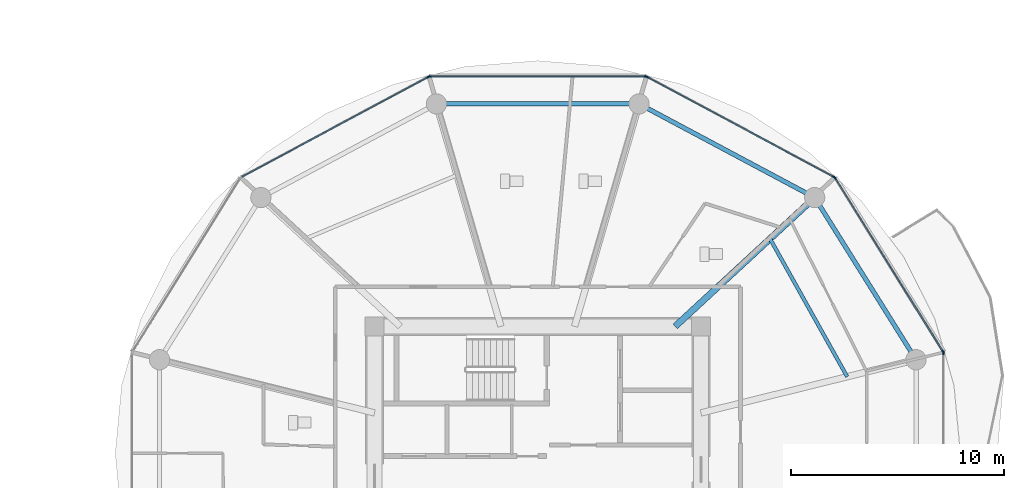
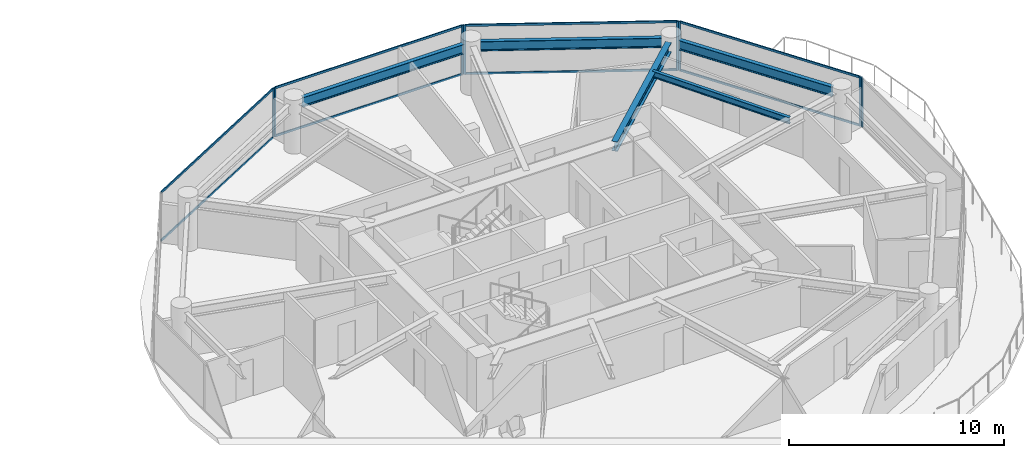
# One storey, part 13 of 27: 16 members, 5 beams, 5 elements without a shape of their own.
"""IFC4 building model written with IfcOpenShell, lengths in metres."""

from ifc_helpers import new_model, si_unit, direction, frame, origin, origin_2d, place, context, subcontext, project, spatial, rectangle, i_section, extrude, source, transform, mapped, material, layer, layer_set, material_profile, profile_set, type_object, type_shapes, element, aggregate, save


model = new_model("IFC4")

# Units and contexts
model_context = context("Model", 3, precision=1e-05, world=origin(), true_north=direction((0.0, 1.0)))
body_context = subcontext(model_context, "Body", "Model", "MODEL_VIEW")
ifc_project = project(units=[si_unit("LENGTHUNIT", "METRE"), si_unit("AREAUNIT", "SQUARE_METRE"), si_unit("VOLUMEUNIT", "CUBIC_METRE"), si_unit("PLANEANGLEUNIT", "RADIAN"), si_unit("MASSUNIT", "GRAM", prefix="KILO")], contexts=[model_context])

# Site, building, storey
site_placement = place(None, origin())
site = spatial("IfcSite", under=ifc_project, at=site_placement, CompositionType="ELEMENT")
building_placement = place(site_placement, origin())
building = spatial("IfcBuilding", under=site, at=building_placement, Name="Norrkilde Senior Care Towers", CompositionType="ELEMENT")
storey_placement = place(building_placement, frame((0.0, 0.0, 36.85009765625)))
storey = spatial("IfcBuildingStorey", under=building, at=storey_placement, Name="L10", CompositionType="ELEMENT", Elevation=36.85009765625)

# Beams
ifc_material_1 = material(Name="Steel S355", Category="steel")
ifc_material_profile_1 = material_profile(ifc_material_1, i_section(OverallWidth=0.2099609375, OverallDepth=0.550048828125, WebThickness=0.010986328125, FlangeThickness=0.01708984375, FilletRadius=0.02392578125, at=origin_2d()), Name="IPE 550")
ifc_profile_set_1 = profile_set([ifc_material_profile_1], Name="Steel S355")
beam_type_1 = type_object("IfcBeamType", Name="Perimeter Ring Spandrel Z1 IPE550", PredefinedType="SPANDREL", material=ifc_profile_set_1)
shared_shape_1 = source(origin(), body_context, "Body", "SweptSolid", [
    extrude(i_section(OverallWidth=0.2099609375, OverallDepth=0.550048828125, WebThickness=0.010986328125, FlangeThickness=0.01708984375, FilletRadius=0.02392578125, at=origin_2d()), origin(), (0.0, 0.0, 1.0), 8.090576171875),
])
beam_1_placement = place(storey_placement, frame((45.494140625, 4.755859375, 2.514892578125), z_axis=(-0.530004364821, 0.84799491347, 0.0), x_axis=(-0.84799491347, -0.530004364821, 0.0)))
element("IfcBeam", 1, at=beam_1_placement, inside=storey, type_object=beam_type_1, Name="L10 Drum E Perimeter Spandrel 01", PredefinedType="SPANDREL", context=body_context, shape_type="MappedRepresentation", body=[
    mapped(shared_shape_1, transform((0.0, 0.0, 0.0), x_axis=(1.0, 0.0, 0.0), y_axis=(0.0, 1.0, 0.0), z_axis=(0.0, 0.0, 1.0), scale=1.0)),
])
shared_shape_2 = source(origin(), body_context, "Body", "SweptSolid", [
    extrude(i_section(OverallWidth=0.2099609375, OverallDepth=0.550048828125, WebThickness=0.010986328125, FlangeThickness=0.01708984375, FilletRadius=0.02392578125, at=origin_2d()), origin(), (0.0, 0.0, 1.0), 8.452880859375),
])
beam_2_placement = place(storey_placement, frame((40.591552734375, 12.190185546875, 2.514892578125), z_axis=(-0.882368931134, 0.470558252898, 0.0), x_axis=(-0.470558252898, -0.882368931134, 0.0)))
element("IfcBeam", 2, at=beam_2_placement, inside=storey, type_object=beam_type_1, Name="L10 Drum E Perimeter Spandrel 02", PredefinedType="SPANDREL", context=body_context, shape_type="MappedRepresentation", body=[
    mapped(shared_shape_2, transform((0.0, 0.0, 0.0), x_axis=(1.0, 0.0, 0.0), y_axis=(0.0, 1.0, 0.0), z_axis=(0.0, 0.0, 1.0), scale=1.0)),
])
ifc_material_profile_2 = material_profile(ifc_material_1, i_section(OverallWidth=0.300048828125, OverallDepth=0.550048828125, WebThickness=0.014892578125, FlangeThickness=0.029052734375, FilletRadius=0.027099609375, at=origin_2d()), Name="HEB 550")
ifc_profile_set_2 = profile_set([ifc_material_profile_2], Name="Steel S355")
beam_type_2 = type_object("IfcBeamType", Name="Radial Floor Beam Z1 HEB550", PredefinedType="BEAM", material=ifc_profile_set_2)
shared_shape_3 = source(origin(), body_context, "Body", "SweptSolid", [
    extrude(i_section(OverallWidth=0.300048828125, OverallDepth=0.550048828125, WebThickness=0.014892578125, FlangeThickness=0.029052734375, FilletRadius=0.027099609375, at=origin_2d()), origin(), (0.0, 0.0, 1.0), 8.459716796875),
])
type_shapes(beam_type_2, [shared_shape_3])
beam_3_placement = place(storey_placement, frame((34.44140625, 5.949951171875, 2.514892578125), z_axis=(0.734573269108, 0.678529374686, 0.0), x_axis=(-0.678529374686, 0.734573269108, 0.0)))
element("IfcBeam", 3, at=beam_3_placement, inside=storey, type_object=beam_type_2, Name="L10 Drum E Radial Floor Beam 02", PredefinedType="BEAM", context=body_context, shape_type="MappedRepresentation", body=[
    mapped(shared_shape_3, transform((0.0, 0.0, 0.0), x_axis=(1.0, 0.0, 0.0), y_axis=(0.0, 1.0, 0.0), z_axis=(0.0, 0.0, 1.0), scale=1.0)),
])
shared_shape_4 = source(origin(), body_context, "Body", "SweptSolid", [
    extrude(i_section(OverallWidth=0.2099609375, OverallDepth=0.550048828125, WebThickness=0.010986328125, FlangeThickness=0.01708984375, FilletRadius=0.02392578125, at=origin_2d()), origin(), (0.0, 0.0, 1.0), 8.62841796875),
])
type_shapes(beam_type_1, [shared_shape_1, shared_shape_2, shared_shape_4])
beam_4_placement = place(storey_placement, frame((32.314208984375, 16.37255859375, 2.514892578125), z_axis=(-1.0, 0.0, 0.0), x_axis=(0.0, -1.0, 0.0)))
element("IfcBeam", 4, at=beam_4_placement, inside=storey, type_object=beam_type_1, Name="L10 Drum E Perimeter Spandrel 03", PredefinedType="SPANDREL", context=body_context, shape_type="MappedRepresentation", body=[
    mapped(shared_shape_4, transform((0.0, 0.0, 0.0), x_axis=(1.0, 0.0, 0.0), y_axis=(0.0, 1.0, 0.0), z_axis=(0.0, 0.0, 1.0), scale=1.0)),
])
ifc_material_profile_3 = material_profile(ifc_material_1, i_section(OverallWidth=0.169921875, OverallDepth=0.360107421875, WebThickness=0.008056640625, FlangeThickness=0.0126953125, FilletRadius=0.01806640625, at=origin_2d()), Name="IPE 360")
ifc_profile_set_3 = profile_set([ifc_material_profile_3], Name="Steel S355")
beam_type_3 = type_object("IfcBeamType", Name="Secondary Floor Joist IPE360", PredefinedType="JOIST", material=ifc_profile_set_3)
shared_shape_5 = source(origin(), body_context, "Body", "SweptSolid", [
    extrude(i_section(OverallWidth=0.169921875, OverallDepth=0.360107421875, WebThickness=0.008056640625, FlangeThickness=0.0126953125, FilletRadius=0.01806640625, at=origin_2d()), origin(), (0.0, 0.0, 1.0), 7.40771484375),
])
type_shapes(beam_type_3, [shared_shape_5])
beam_5_placement = place(storey_placement, frame((42.500732421875, 3.589111328125, 2.60986328125), z_axis=(-0.488167754092, 0.872749817453, 0.0), x_axis=(-0.872749817453, -0.488167754092, 0.0)))
element("IfcBeam", 5, at=beam_5_placement, inside=storey, type_object=beam_type_3, Name="L10 Drum E Secondary Floor Joist 1", PredefinedType="JOIST", context=body_context, shape_type="MappedRepresentation", body=[
    mapped(shared_shape_5, transform((0.0, 0.0, 0.0), x_axis=(1.0, 0.0, 0.0), y_axis=(0.0, 1.0, 0.0), z_axis=(0.0, 0.0, 1.0), scale=1.0)),
])

# Curtain wall, members
ifc_material_2 = material(Name="Triple Low-E Insulated Glazing", Category="glass")
ifc_layer = layer(ifc_material_2, 0.199951171875)
ifc_layer_set = layer_set([ifc_layer], Name="Triple Low-E Insulated Glazing")
curtain_wall_type = type_object("IfcCurtainWallType", Name="CW2 Zone 1 Memory Care Curtain Wall", PredefinedType="NOTDEFINED", material=ifc_layer_set)
curtain_wall_1_placement = place(storey_placement, origin())
curtain_wall_1 = element("IfcCurtainWall", 6, at=curtain_wall_1_placement, inside=storey, type_object=curtain_wall_type, Name="L10 Drum E Curtain Wall 00", PredefinedType="NOTDEFINED")
ifc_material_3 = material(Name="Anodised Aluminium", Category="aluminium")
ifc_material_profile_4 = material_profile(ifc_material_3, rectangle(XDim=0.06494140625, YDim=0.159912109375, at=origin_2d()), Name="ALU MULL 65x160")
ifc_profile_set_4 = profile_set([ifc_material_profile_4], Name="Anodised Aluminium")
member_type_1 = type_object("IfcMemberType", Name="Curtain Wall Mullion Z1-Z2 65x160", PredefinedType="MULLION", material=ifc_profile_set_4)
shared_shape_6 = source(origin(), body_context, "Body", "SweptSolid", [
    extrude(rectangle(XDim=0.06494140625, YDim=0.159912109375, at=origin_2d()), origin(), (0.0, 0.0, 1.0), 2.789794921875),
])
type_shapes(member_type_1, [shared_shape_6])
member_1_placement = place(storey_placement, frame((41.93310546875, 12.898193359375, 0.0), z_axis=(0.0, 0.0, 1.0), x_axis=(0.849305943117, 0.527900951871, 0.0)))
member_1 = element("IfcMember", 7, at=member_1_placement, type_object=member_type_1, Name="CW-2 mullion 1", PredefinedType="MULLION", context=body_context, shape_type="MappedRepresentation", body=[
    mapped(shared_shape_6, transform((0.0, 0.0, 0.0), x_axis=(1.0, 0.0, 0.0), y_axis=(0.0, 1.0, 0.0), z_axis=(0.0, 0.0, 1.0), scale=1.0)),
])
member_2_placement = place(storey_placement, frame((46.9921875, 4.7587890625, 0.0), z_axis=(0.0, 0.0, 1.0), x_axis=(0.849305943117, 0.527900951871, 0.0)))
member_2 = element("IfcMember", 8, at=member_2_placement, type_object=member_type_1, Name="CW-2 mullion 2", PredefinedType="MULLION", context=body_context, shape_type="MappedRepresentation", body=[
    mapped(shared_shape_6, transform((0.0, 0.0, 0.0), x_axis=(1.0, 0.0, 0.0), y_axis=(0.0, 1.0, 0.0), z_axis=(0.0, 0.0, 1.0), scale=1.0)),
])

curtain_wall_2_placement = place(storey_placement, origin())
curtain_wall_2 = element("IfcCurtainWall", 9, at=curtain_wall_2_placement, inside=storey, type_object=curtain_wall_type, Name="L10 Drum E Curtain Wall 01", PredefinedType="NOTDEFINED")
member_3_placement = place(storey_placement, frame((33.122314453125, 17.641845703125, 0.0), z_axis=(0.0, 0.0, 1.0), x_axis=(0.472607802456, 0.881272866403, 0.0)))
member_3 = element("IfcMember", 10, at=member_3_placement, type_object=member_type_1, Name="CW-2 mullion 1", PredefinedType="MULLION", context=body_context, shape_type="MappedRepresentation", body=[
    mapped(shared_shape_6, transform((0.0, 0.0, 0.0), x_axis=(1.0, 0.0, 0.0), y_axis=(0.0, 1.0, 0.0), z_axis=(0.0, 0.0, 1.0), scale=1.0)),
])
member_4_placement = place(storey_placement, frame((41.88720703125, 12.941162109375, 0.0), z_axis=(0.0, 0.0, 1.0), x_axis=(0.472607802456, 0.881272866403, 0.0)))
member_4 = element("IfcMember", 11, at=member_4_placement, type_object=member_type_1, Name="CW-2 mullion 2", PredefinedType="MULLION", context=body_context, shape_type="MappedRepresentation", body=[
    mapped(shared_shape_6, transform((0.0, 0.0, 0.0), x_axis=(1.0, 0.0, 0.0), y_axis=(0.0, 1.0, 0.0), z_axis=(0.0, 0.0, 1.0), scale=1.0)),
])

curtain_wall_3_placement = place(storey_placement, origin())
curtain_wall_3 = element("IfcCurtainWall", 12, at=curtain_wall_3_placement, inside=storey, type_object=curtain_wall_type, Name="L10 Drum E Curtain Wall 02", PredefinedType="NOTDEFINED")
member_5_placement = place(storey_placement, frame((22.93896484375, 17.6572265625, 0.0), z_axis=(0.0, 0.0, 1.0), x_axis=(0.0, 1.0, 0.0)))
member_5 = element("IfcMember", 13, at=member_5_placement, type_object=member_type_1, Name="CW-2 mullion 1", PredefinedType="MULLION", context=body_context, shape_type="MappedRepresentation", body=[
    mapped(shared_shape_6, transform((0.0, 0.0, 0.0), x_axis=(1.0, 0.0, 0.0), y_axis=(0.0, 1.0, 0.0), z_axis=(0.0, 0.0, 1.0), scale=1.0)),
])
member_6_placement = place(storey_placement, frame((33.06103515625, 17.6572265625, 0.0), z_axis=(0.0, 0.0, 1.0), x_axis=(0.0, 1.0, 0.0)))
member_6 = element("IfcMember", 14, at=member_6_placement, type_object=member_type_1, Name="CW-2 mullion 2", PredefinedType="MULLION", context=body_context, shape_type="MappedRepresentation", body=[
    mapped(shared_shape_6, transform((0.0, 0.0, 0.0), x_axis=(1.0, 0.0, 0.0), y_axis=(0.0, 1.0, 0.0), z_axis=(0.0, 0.0, 1.0), scale=1.0)),
])

# Curtain wall, member
curtain_wall_4_placement = place(storey_placement, origin())
curtain_wall_4 = element("IfcCurtainWall", 15, at=curtain_wall_4_placement, inside=storey, type_object=curtain_wall_type, Name="L10 Drum E Curtain Wall 03", PredefinedType="NOTDEFINED")
member_7_placement = place(storey_placement, frame((22.877685546875, 17.641845703125, 0.0), z_axis=(0.0, 0.0, 1.0), x_axis=(-0.472607802456, 0.881272866403, 0.0)))
member_7 = element("IfcMember", 16, at=member_7_placement, type_object=member_type_1, Name="CW-2 mullion 2", PredefinedType="MULLION", context=body_context, shape_type="MappedRepresentation", body=[
    mapped(shared_shape_6, transform((0.0, 0.0, 0.0), x_axis=(1.0, 0.0, 0.0), y_axis=(0.0, 1.0, 0.0), z_axis=(0.0, 0.0, 1.0), scale=1.0)),
])

curtain_wall_5_placement = place(storey_placement, origin())
curtain_wall_5 = element("IfcCurtainWall", 17, at=curtain_wall_5_placement, inside=storey, type_object=curtain_wall_type, Name="L10 Drum E Curtain Wall 11", PredefinedType="NOTDEFINED")
member_8_placement = place(storey_placement, frame((47.009521484375, 4.69873046875, 0.0), z_axis=(0.0, 0.0, 1.0), x_axis=(1.0, 0.0, 0.0)))
member_8 = element("IfcMember", 18, at=member_8_placement, type_object=member_type_1, Name="CW-2 mullion 1", PredefinedType="MULLION", context=body_context, shape_type="MappedRepresentation", body=[
    mapped(shared_shape_6, transform((0.0, 0.0, 0.0), x_axis=(1.0, 0.0, 0.0), y_axis=(0.0, 1.0, 0.0), z_axis=(0.0, 0.0, 1.0), scale=1.0)),
])
aggregate(curtain_wall_5, [member_8])

# Member
ifc_material_profile_5 = material_profile(ifc_material_3, rectangle(XDim=0.06005859375, YDim=0.1201171875, at=origin_2d()), Name="ALU TRAN 60x120")
ifc_profile_set_5 = profile_set([ifc_material_profile_5], Name="Anodised Aluminium")
member_type_2 = type_object("IfcMemberType", Name="Curtain Wall Transom Typical 60x120", PredefinedType="USERDEFINED", material=ifc_profile_set_5)
shared_shape_7 = source(origin(), body_context, "Body", "SweptSolid", [
    extrude(rectangle(XDim=0.06005859375, YDim=0.1201171875, at=origin_2d()), origin(), (0.0, 0.0, 1.0), 9.5185546875),
])
member_9_placement = place(storey_placement, frame((41.9501953125, 12.87060546875, 0.02978515625), z_axis=(0.527901620669, -0.849305527413, 0.0), x_axis=(0.849305527413, 0.527901620669, 0.0)))
member_9 = element("IfcMember", 19, at=member_9_placement, type_object=member_type_2, Name="CW-2 transom 1.1", ObjectType="TRANSOM", PredefinedType="USERDEFINED", context=body_context, shape_type="MappedRepresentation", body=[
    mapped(shared_shape_7, transform((0.0, 0.0, 0.0), x_axis=(1.0, 0.0, 0.0), y_axis=(0.0, 1.0, 0.0), z_axis=(0.0, 0.0, 1.0), scale=1.0)),
])

member_10_placement = place(storey_placement, frame((41.9501953125, 12.87060546875, 2.760009765625), z_axis=(0.527901620669, -0.849305527413, 0.0), x_axis=(0.849305527413, 0.527901620669, 0.0)))
member_10 = element("IfcMember", 20, at=member_10_placement, type_object=member_type_2, Name="CW-2 transom 1.2", ObjectType="TRANSOM", PredefinedType="USERDEFINED", context=body_context, shape_type="MappedRepresentation", body=[
    mapped(shared_shape_7, transform((0.0, 0.0, 0.0), x_axis=(1.0, 0.0, 0.0), y_axis=(0.0, 1.0, 0.0), z_axis=(0.0, 0.0, 1.0), scale=1.0)),
])

aggregate(curtain_wall_1, [member_1, member_2, member_9, member_10])

shared_shape_8 = source(origin(), body_context, "Body", "SweptSolid", [
    extrude(rectangle(XDim=0.06005859375, YDim=0.1201171875, at=origin_2d()), origin(), (0.0, 0.0, 1.0), 9.880859375),
])
member_11_placement = place(storey_placement, frame((33.15087890625, 17.62646484375, 0.02978515625), z_axis=(0.881267204043, -0.47261836092, 0.0), x_axis=(0.47261836092, 0.881267204043, 0.0)))
member_11 = element("IfcMember", 21, at=member_11_placement, type_object=member_type_2, Name="CW-2 transom 1.1", ObjectType="TRANSOM", PredefinedType="USERDEFINED", context=body_context, shape_type="MappedRepresentation", body=[
    mapped(shared_shape_8, transform((0.0, 0.0, 0.0), x_axis=(1.0, 0.0, 0.0), y_axis=(0.0, 1.0, 0.0), z_axis=(0.0, 0.0, 1.0), scale=1.0)),
])

member_12_placement = place(storey_placement, frame((33.15087890625, 17.62646484375, 2.760009765625), z_axis=(0.881267204043, -0.47261836092, 0.0), x_axis=(0.47261836092, 0.881267204043, 0.0)))
member_12 = element("IfcMember", 22, at=member_12_placement, type_object=member_type_2, Name="CW-2 transom 1.2", ObjectType="TRANSOM", PredefinedType="USERDEFINED", context=body_context, shape_type="MappedRepresentation", body=[
    mapped(shared_shape_8, transform((0.0, 0.0, 0.0), x_axis=(1.0, 0.0, 0.0), y_axis=(0.0, 1.0, 0.0), z_axis=(0.0, 0.0, 1.0), scale=1.0)),
])

aggregate(curtain_wall_2, [member_3, member_4, member_11, member_12])

member_13_placement = place(storey_placement, frame((14.141357421875, 12.95654296875, 0.02978515625), z_axis=(0.881267204043, 0.47261836092, 0.0), x_axis=(-0.47261836092, 0.881267204043, 0.0)))
member_13 = element("IfcMember", 23, at=member_13_placement, type_object=member_type_2, Name="CW-2 transom 1.1", ObjectType="TRANSOM", PredefinedType="USERDEFINED", context=body_context, shape_type="MappedRepresentation", body=[
    mapped(shared_shape_8, transform((0.0, 0.0, 0.0), x_axis=(1.0, 0.0, 0.0), y_axis=(0.0, 1.0, 0.0), z_axis=(0.0, 0.0, 1.0), scale=1.0)),
])

member_14_placement = place(storey_placement, frame((14.141357421875, 12.95654296875, 2.760009765625), z_axis=(0.881267204043, 0.47261836092, 0.0), x_axis=(-0.47261836092, 0.881267204043, 0.0)))
member_14 = element("IfcMember", 24, at=member_14_placement, type_object=member_type_2, Name="CW-2 transom 1.2", ObjectType="TRANSOM", PredefinedType="USERDEFINED", context=body_context, shape_type="MappedRepresentation", body=[
    mapped(shared_shape_8, transform((0.0, 0.0, 0.0), x_axis=(1.0, 0.0, 0.0), y_axis=(0.0, 1.0, 0.0), z_axis=(0.0, 0.0, 1.0), scale=1.0)),
])

aggregate(curtain_wall_4, [member_7, member_13, member_14])

shared_shape_9 = source(origin(), body_context, "Body", "SweptSolid", [
    extrude(rectangle(XDim=0.06005859375, YDim=0.1201171875, at=origin_2d()), origin(), (0.0, 0.0, 1.0), 10.05712890625),
])
type_shapes(member_type_2, [shared_shape_7, shared_shape_8, shared_shape_9])
member_15_placement = place(storey_placement, frame((22.971435546875, 17.6572265625, 0.02978515625), z_axis=(1.0, 0.0, 0.0), x_axis=(0.0, 1.0, 0.0)))
member_15 = element("IfcMember", 25, at=member_15_placement, type_object=member_type_2, Name="CW-2 transom 1.1", ObjectType="TRANSOM", PredefinedType="USERDEFINED", context=body_context, shape_type="MappedRepresentation", body=[
    mapped(shared_shape_9, transform((0.0, 0.0, 0.0), x_axis=(1.0, 0.0, 0.0), y_axis=(0.0, 1.0, 0.0), z_axis=(0.0, 0.0, 1.0), scale=1.0)),
])

member_16_placement = place(storey_placement, frame((22.971435546875, 17.6572265625, 2.760009765625), z_axis=(1.0, 0.0, 0.0), x_axis=(0.0, 1.0, 0.0)))
member_16 = element("IfcMember", 26, at=member_16_placement, type_object=member_type_2, Name="CW-2 transom 1.2", ObjectType="TRANSOM", PredefinedType="USERDEFINED", context=body_context, shape_type="MappedRepresentation", body=[
    mapped(shared_shape_9, transform((0.0, 0.0, 0.0), x_axis=(1.0, 0.0, 0.0), y_axis=(0.0, 1.0, 0.0), z_axis=(0.0, 0.0, 1.0), scale=1.0)),
])

aggregate(curtain_wall_3, [member_5, member_6, member_15, member_16])

save(model, "model.ifc")
